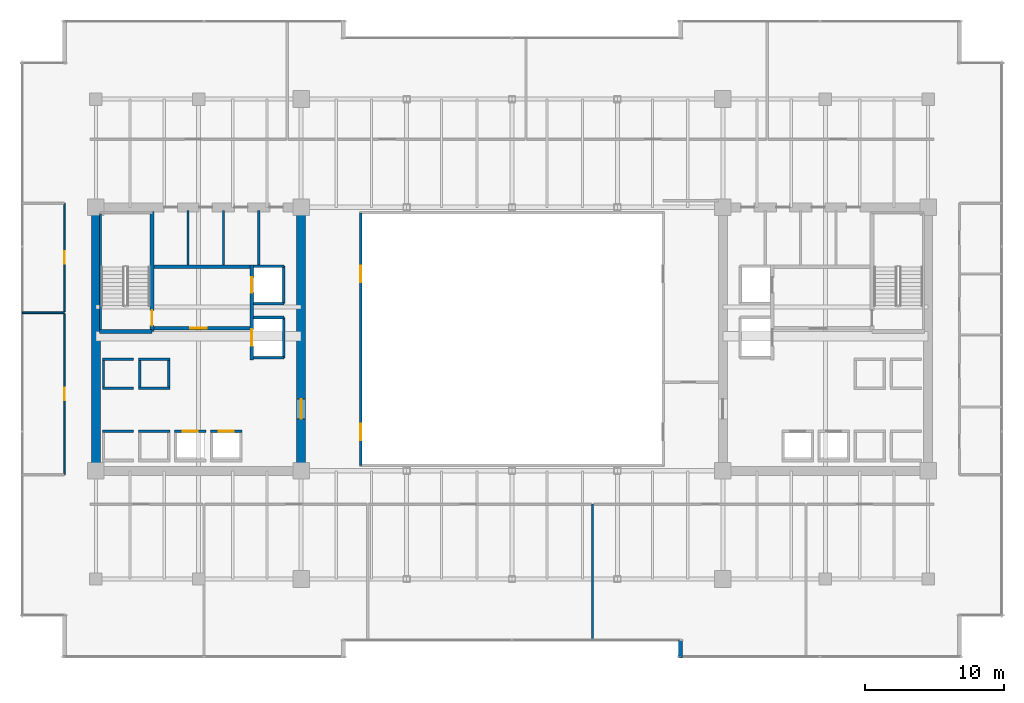
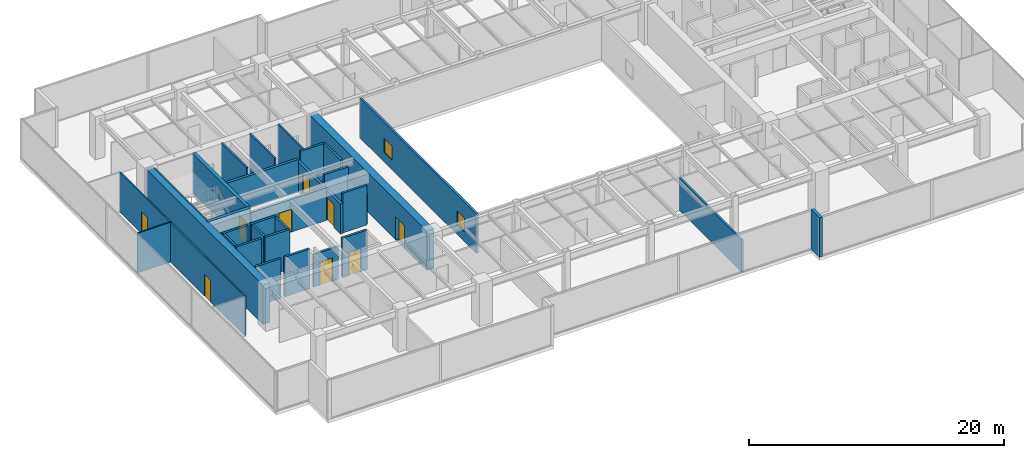
# One storey, part 25 of 30: 34 walls, 9 doors, 2 windows, 11 openings.
"""IFC4 building model written with IfcOpenShell, lengths in metres."""

from ifc_helpers import new_model, si_unit, direction, frame, frame_2d, origin, place, context, subcontext, project, spatial, rectangle, extrude, source, transform, mapped, material, layer, layer_set, type_object, type_shapes, element, fill, save


model = new_model("IFC4")

# Units and contexts
model_context = context("Model", 3, precision=1e-05, world=origin(), true_north=direction((0.0, 1.0)))
body_context = subcontext(model_context, "Body", "Model", "MODEL_VIEW")
ifc_project = project(units=[si_unit("LENGTHUNIT", "METRE"), si_unit("AREAUNIT", "SQUARE_METRE"), si_unit("VOLUMEUNIT", "CUBIC_METRE"), si_unit("PLANEANGLEUNIT", "RADIAN"), si_unit("MASSUNIT", "GRAM", prefix="KILO")], contexts=[model_context])

# Site, building, storey
site_placement = place(None, origin())
site = spatial("IfcSite", under=ifc_project, at=site_placement, CompositionType="ELEMENT")
building_placement = place(site_placement, origin())
building = spatial("IfcBuilding", under=site, at=building_placement, Name="Haelvirn Gate Laboratories", CompositionType="ELEMENT")
storey_placement = place(building_placement, frame((0.0, 0.0, 105.10009765625)))
storey = spatial("IfcBuildingStorey", under=building, at=storey_placement, Name="L25", CompositionType="ELEMENT", Elevation=105.10009765625)

# Walls
ifc_material_1 = material(Name="Thermally-broken bronze aluminium rainscreen & mineral wool", Category="aluminium")
ifc_layer_1 = layer(ifc_material_1, 0.280029296875, Name="EW-TERR-280")
ifc_layer_set_1 = layer_set([ifc_layer_1], Name="Thermally-broken bronze aluminium rainscreen & mineral wool")
wall_type_1 = type_object("IfcWallType", Name="EW-TERR-280", PredefinedType="STANDARD", material=ifc_layer_set_1)
wall_1_placement = place(storey_placement, frame((49.5400390625, 2.587890625, 0.0), z_axis=(0.0, 0.0, 1.0), x_axis=(0.0, -1.0, 0.0)))
element("IfcWall", 1, at=wall_1_placement, inside=storey, type_object=wall_type_1, Name="L25 Atrium Recess Bronze Return Wall 03", PredefinedType="STANDARD", context=body_context, shape_type="SweptSolid", body=[
    extrude(rectangle(XDim=1.287841796875, YDim=0.280029296875, at=frame_2d((0.64404296875, 0.0))), origin(), (0.0, 0.0, 1.0), 3.789794921875),
])
ifc_material_2 = material(Name="Double-layer acoustic gypsum laboratory partition", Category="gypsum")
ifc_layer_2 = layer(ifc_material_2, 0.159912109375, Name="IW-ACOUST-160")
ifc_layer_set_2 = layer_set([ifc_layer_2], Name="Double-layer acoustic gypsum laboratory partition")
wall_type_2 = type_object("IfcWallType", Name="IW-ACOUST-160", PredefinedType="PARTITIONING", material=ifc_layer_set_2)
wall_2_placement = place(storey_placement, frame((43.199951171875, 2.610107421875, 0.0), z_axis=(0.0, 0.0, 1.0), x_axis=(0.0, 1.0, 0.0)))
element("IfcWall", 2, at=wall_2_placement, inside=storey, type_object=wall_type_2, Name="L25 Interior Wall IW-L25-SDIV-03", PredefinedType="PARTITIONING", context=body_context, shape_type="SweptSolid", body=[
    extrude(rectangle(XDim=9.77978515625, YDim=0.159912109375, at=frame_2d((4.889892578125, 0.0))), origin(), (0.0, 0.0, 1.0), 3.074951171875),
])

# Wall, openings, windows
ifc_material_3 = material(Name="Tempered fire-rated borosilicate glass & anodised aluminium", Category="aluminium")
ifc_layer_3 = layer(ifc_material_3, 0.195068359375, Name="IW-GLAZ-200")
ifc_layer_set_3 = layer_set([ifc_layer_3], Name="Tempered fire-rated borosilicate glass & anodised aluminium")
wall_type_3 = type_object("IfcWallType", Name="IW-GLAZ-200", PredefinedType="SOLIDWALL", material=ifc_layer_set_3)
wall_3_placement = place(storey_placement, frame((26.5, 15.199951171875, 0.0), z_axis=(0.0, 0.0, 1.0), x_axis=(0.0, 1.0, 0.0)))
wall_3 = element("IfcWall", 3, at=wall_3_placement, inside=storey, type_object=wall_type_3, Name="L25 Interior Wall IW-L25-ATRIUM-W", PredefinedType="SOLIDWALL", context=body_context, shape_type="SweptSolid", body=[
    extrude(rectangle(XDim=18.199951171875, YDim=0.195068359375, at=frame_2d((9.10009765625, 0.0))), origin(), (0.0, 0.0, 1.0), 3.789794921875),
])
opening_1_placement = place(wall_3_placement, frame((1.800048828125, 0.0, 0.89990234375)))
opening_1 = element("IfcOpeningElement", 4, at=opening_1_placement, cuts=wall_3, Name="Opening W6", PredefinedType="OPENING", context=body_context, shape_type="SweptSolid", body=[
    extrude(rectangle(XDim=1.199951171875, YDim=1.35009765625, at=frame_2d((0.60009765625, 0.675048828125))), frame((0.0, 0.107421875, 0.0), z_axis=(0.0, -1.0, 0.0), x_axis=(1.0, 0.0, 0.0)), (0.0, 0.0, 1.0), 0.215087890625),
])
opening_2_placement = place(wall_3_placement, frame((13.199951171875, 0.0, 0.89990234375)))
opening_2 = element("IfcOpeningElement", 5, at=opening_2_placement, cuts=wall_3, Name="Opening W6", PredefinedType="OPENING", context=body_context, shape_type="SweptSolid", body=[
    extrude(rectangle(XDim=1.199951171875, YDim=1.35009765625, at=frame_2d((0.60009765625, 0.675048828125))), frame((0.0, 0.107421875, 0.0), z_axis=(0.0, -1.0, 0.0), x_axis=(1.0, 0.0, 0.0)), (0.0, 0.0, 1.0), 0.215087890625),
])
ifc_material_4 = material(Name="Fire-rated EI 120 borosilicate atrium vision glazing", Category="glass")
window_type = type_object("IfcWindowType", Name="WN-ATR-1200", PartitioningType="SINGLE_PANEL", PredefinedType="WINDOW", material=ifc_material_4)
shared_shape_1 = source(origin(), body_context, "Body", "SweptSolid", [
    extrude(rectangle(XDim=1.199951171875, YDim=1.35009765625, at=frame_2d((0.60009765625, 0.675048828125))), frame((0.0, 0.030029296875, 0.0), z_axis=(0.0, -1.0, 0.0), x_axis=(1.0, 0.0, 0.0)), (0.0, 0.0, 1.0), 0.06005859375),
])
type_shapes(window_type, [shared_shape_1])
window_1_placement = place(opening_1_placement, origin())
window_1 = element("IfcWindow", 6, at=window_1_placement, inside=storey, type_object=window_type, Name="L25 Atrium Observation Window 1", OverallHeight=1.35009765625, OverallWidth=1.199951171875, PartitioningType="SINGLE_PANEL", PredefinedType="WINDOW", context=body_context, shape_type="MappedRepresentation", body=[
    mapped(shared_shape_1, transform((0.0, 0.0, 0.0), scale=1.0)),
])
fill(opening_1, window_1)
window_2_placement = place(opening_2_placement, origin())
window_2 = element("IfcWindow", 7, at=window_2_placement, inside=storey, type_object=window_type, Name="L25 Atrium Observation Window 2", OverallHeight=1.35009765625, OverallWidth=1.199951171875, PartitioningType="SINGLE_PANEL", PredefinedType="WINDOW", context=body_context, shape_type="MappedRepresentation", body=[
    mapped(shared_shape_1, transform((0.0, 0.0, 0.0), scale=1.0)),
])
fill(opening_2, window_2)

# Wall, opening, door
ifc_material_5 = material(Name="Lightweight acoustic gypsum board partition", Category="gypsum")
ifc_layer_4 = layer(ifc_material_5, 0.1201171875, Name="IW-PART-120")
ifc_layer_set_4 = layer_set([ifc_layer_4], Name="Lightweight acoustic gypsum board partition")
wall_type_4 = type_object("IfcWallType", Name="IW-PART-120", PredefinedType="PARTITIONING", material=ifc_layer_set_4)
wall_4_placement = place(storey_placement, frame((5.1298828125, 14.514892578125, 0.0), z_axis=(0.0, 0.0, 1.0), x_axis=(0.0, 1.0, 0.0)))
wall_4 = element("IfcWall", 8, at=wall_4_placement, inside=storey, type_object=wall_type_4, Name="L25 Interior Wall IW-L25-WPASS-01", PredefinedType="PARTITIONING", context=body_context, shape_type="SweptSolid", body=[
    extrude(rectangle(XDim=11.625, YDim=0.1201171875, at=frame_2d((5.8125, 0.0))), origin(), (0.0, 0.0, 1.0), 3.789794921875),
])
opening_3_placement = place(wall_4_placement, frame((5.362548828125, 0.0, 0.0)))
opening_3 = element("IfcOpeningElement", 9, at=opening_3_placement, cuts=wall_4, Name="Opening D4", PredefinedType="OPENING", context=body_context, shape_type="SweptSolid", body=[
    extrude(rectangle(XDim=0.89990234375, YDim=2.10009765625, at=frame_2d((0.449951171875, 1.050048828125))), frame((0.0, 0.070068359375, 0.0), z_axis=(0.0, -1.0, 0.0), x_axis=(1.0, 0.0, 0.0)), (0.0, 0.0, 1.0), 0.14013671875),
])
ifc_material_6 = material(Name="Glazed aluminium-framed write-up door", Category="aluminium")
door_type_1 = type_object("IfcDoorType", Name="DR-OFF-900", OperationType="NOTDEFINED", PredefinedType="DOOR", material=ifc_material_6)
shared_shape_2 = source(origin(), body_context, "Body", "SweptSolid", [
    extrude(rectangle(XDim=0.89990234375, YDim=2.10009765625, at=frame_2d((0.449951171875, 1.050048828125))), frame((0.0, 0.02490234375, 0.0), z_axis=(0.0, -1.0, 0.0), x_axis=(1.0, 0.0, 0.0)), (0.0, 0.0, 1.0), 0.050048828125),
])
type_shapes(door_type_1, [shared_shape_2])
door_1_placement = place(opening_3_placement, origin())
door_1 = element("IfcDoor", 10, at=door_1_placement, inside=storey, type_object=door_type_1, Name="L25 Colloquium Conference Room Door W1", OperationType="SINGLE_SWING_LEFT", OverallHeight=2.10009765625, OverallWidth=0.89990234375, PredefinedType="DOOR", context=body_context, shape_type="MappedRepresentation", body=[
    mapped(shared_shape_2, transform((0.0, 0.0, 0.0), scale=1.0)),
])
fill(opening_3, door_1)

# Wall
wall_5_placement = place(storey_placement, frame((2.110107421875, 26.199951171875, 0.0), z_axis=(0.0, 0.0, 1.0), x_axis=(1.0, 0.0, 0.0)))
element("IfcWall", 11, at=wall_5_placement, inside=storey, type_object=wall_type_4, Name="L25 Interior Wall IW-L25-WDIV-01", PredefinedType="PARTITIONING", context=body_context, shape_type="SweptSolid", body=[
    extrude(rectangle(XDim=3.019775390625, YDim=0.1201171875, at=frame_2d((1.509765625, 0.0))), origin(), (0.0, 0.0, 1.0), 3.789794921875),
])

# Wall, opening, door
wall_6_placement = place(storey_placement, frame((5.1298828125, 26.260009765625, 0.0), z_axis=(0.0, 0.0, 1.0), x_axis=(0.0, 1.0, 0.0)))
wall_6 = element("IfcWall", 12, at=wall_6_placement, inside=storey, type_object=wall_type_4, Name="L25 Interior Wall IW-L25-WPASS-02", PredefinedType="PARTITIONING", context=body_context, shape_type="SweptSolid", body=[
    extrude(rectangle(XDim=7.824951171875, YDim=0.1201171875, at=frame_2d((3.91259765625, 0.0))), origin(), (0.0, 0.0, 1.0), 3.789794921875),
])
opening_4_placement = place(wall_6_placement, frame((3.46240234375, 0.0, 0.0)))
opening_4 = element("IfcOpeningElement", 13, at=opening_4_placement, cuts=wall_6, Name="Opening D4", PredefinedType="OPENING", context=body_context, shape_type="SweptSolid", body=[
    extrude(rectangle(XDim=0.89990234375, YDim=2.10009765625, at=frame_2d((0.449951171875, 1.050048828125))), frame((0.0, 0.070068359375, 0.0), z_axis=(0.0, -1.0, 0.0), x_axis=(1.0, 0.0, 0.0)), (0.0, 0.0, 1.0), 0.14013671875),
])
door_2_placement = place(opening_4_placement, origin())
door_2 = element("IfcDoor", 14, at=door_2_placement, inside=storey, type_object=door_type_1, Name="L25 Researcher Break Pantry Door W2", OperationType="SINGLE_SWING_RIGHT", OverallHeight=2.10009765625, OverallWidth=0.89990234375, PredefinedType="DOOR", context=body_context, shape_type="MappedRepresentation", body=[
    mapped(shared_shape_2, transform((0.0, 0.0, 0.0), scale=1.0)),
])
fill(opening_4, door_2)

# Walls
ifc_material_7 = material(Name="Cement-board restroom plumbing chase wall", Category="gypsum")
ifc_layer_5 = layer(ifc_material_7, 0.155029296875, Name="IW-PLUMB-160")
ifc_layer_set_5 = layer_set([ifc_layer_5], Name="Cement-board restroom plumbing chase wall")
wall_type_5 = type_object("IfcWallType", Name="IW-PLUMB-160", PredefinedType="PLUMBINGWALL", material=ifc_layer_set_5)
for number, where, z_axis, x_axis, name in (
    (15, (14.0400390625, 29.64990234375, 0.0), (0.0, 0.0, 1.0), (0.0, 1.0, 0.0), "L25 Interior Wall IW-L25-W-CDIV-1"),
    (16, (16.590087890625, 29.64990234375, 0.0), (0.0, 0.0, 1.0), (0.0, 1.0, 0.0), "L25 Interior Wall IW-L25-W-CDIV-2"),
    (17, (19.139892578125, 29.64990234375, 0.0), (0.0, 0.0, 1.0), (0.0, 1.0, 0.0), "L25 Interior Wall IW-L25-W-CDIV-3"),
):
    element("IfcWall", number, at=place(storey_placement, frame(where, z_axis=z_axis, x_axis=x_axis)), inside=storey, type_object=wall_type_5, Name=name, PredefinedType="PLUMBINGWALL", context=body_context, shape_type="SweptSolid", body=[
        extrude(rectangle(XDim=3.93017578125, YDim=0.155029296875, at=frame_2d((1.965087890625, 0.0))), origin(), (0.0, 0.0, 1.0), 3.789794921875),
    ])
ifc_material_8 = material(Name="Concrete C40/50", Category="concrete")
ifc_layer_6 = layer(ifc_material_8, 0.179931640625, Name="IW-SHAFT-180")
ifc_layer_set_6 = layer_set([ifc_layer_6], Name="Concrete C40/50")
wall_type_6 = type_object("IfcWallType", Name="IW-SHAFT-180", PredefinedType="SOLIDWALL", material=ifc_layer_set_6)
for number, where, z_axis, x_axis, name in (
    (18, (7.949951171875, 20.85009765625, 0.0), (0.0, 0.0, 1.0), (0.0, 1.0, 0.0), "L25 Interior Wall IW-L25-PL9-SD"),
    (19, (10.550048828125, 20.85009765625, 0.0), (0.0, 0.0, 1.0), (0.0, 1.0, 0.0), "L25 Interior Wall IW-L25-PL10-SD"),
    (20, (12.64990234375, 20.85009765625, 0.0), (0.0, 0.0, 1.0), (0.0, 1.0, 0.0), "L25 Interior Wall IW-L25-PL10-SDE"),
):
    element("IfcWall", number, at=place(storey_placement, frame(where, z_axis=z_axis, x_axis=x_axis)), inside=storey, type_object=wall_type_6, Name=name, PredefinedType="SOLIDWALL", context=body_context, shape_type="SweptSolid", body=[
        extrude(rectangle(XDim=1.89990234375, YDim=0.179931640625, at=frame_2d((0.949951171875, 0.0))), origin(), (0.0, 0.0, 1.0), 3.789794921875),
    ])
ifc_layer_7 = layer(ifc_material_8, 0.199951171875, Name="IW-SHAFT-200")
ifc_layer_set_7 = layer_set([ifc_layer_7], Name="Concrete C40/50")
wall_type_7 = type_object("IfcWallType", Name="IW-SHAFT-200", PredefinedType="SOLIDWALL", material=ifc_layer_set_7)
wall_7_placement = place(storey_placement, frame((7.8701171875, 17.64990234375, 0.0), z_axis=(0.0, 0.0, 1.0), x_axis=(1.0, 0.0, 0.0)))
element("IfcWall", 21, at=wall_7_placement, inside=storey, type_object=wall_type_7, Name="L25 Interior Wall IW-L25-PL1-FR", PredefinedType="SOLIDWALL", context=body_context, shape_type="SweptSolid", body=[
    extrude(rectangle(XDim=2.259765625, YDim=0.199951171875, at=frame_2d((1.1298828125, 0.0))), origin(), (0.0, 0.0, 1.0), 3.789794921875),
])
wall_8_placement = place(storey_placement, frame((10.469970703125, 17.64990234375, 0.0), z_axis=(0.0, 0.0, 1.0), x_axis=(1.0, 0.0, 0.0)))
element("IfcWall", 22, at=wall_8_placement, inside=storey, type_object=wall_type_7, Name="L25 Interior Wall IW-L25-PL2-FR", PredefinedType="SOLIDWALL", context=body_context, shape_type="SweptSolid", body=[
    extrude(rectangle(XDim=2.260009765625, YDim=0.199951171875, at=frame_2d((1.1298828125, 0.0))), origin(), (0.0, 0.0, 1.0), 3.789794921875),
])

# Wall, opening, door
wall_9_placement = place(storey_placement, frame((13.070068359375, 17.64990234375, 0.0), z_axis=(0.0, 0.0, 1.0), x_axis=(1.0, 0.0, 0.0)))
wall_9 = element("IfcWall", 23, at=wall_9_placement, inside=storey, type_object=wall_type_7, Name="L25 Interior Wall IW-L25-PL5-FR", PredefinedType="SOLIDWALL", context=body_context, shape_type="SweptSolid", body=[
    extrude(rectangle(XDim=2.260009765625, YDim=0.199951171875, at=frame_2d((1.1298828125, 0.0))), origin(), (0.0, 0.0, 1.0), 3.125),
])
opening_5_placement = place(wall_9_placement, frame((0.580078125, 0.0, 0.0)))
opening_5 = element("IfcOpeningElement", 24, at=opening_5_placement, cuts=wall_9, Name="Opening LD2", PredefinedType="OPENING", context=body_context, shape_type="SweptSolid", body=[
    extrude(rectangle(XDim=1.10009765625, YDim=2.219970703125, at=frame_2d((0.550048828125, 1.10986328125))), frame((0.0, 0.10986328125, 0.0), z_axis=(0.0, -1.0, 0.0), x_axis=(1.0, 0.0, 0.0)), (0.0, 0.0, 1.0), 0.219970703125),
])
ifc_material_9 = material(Name="Bronze stainless 316L sliding lift landing door")
door_type_2 = type_object("IfcDoorType", Name="DR-LD-1100", OperationType="NOTDEFINED", PredefinedType="USERDEFINED", material=ifc_material_9)
shared_shape_3 = source(origin(), body_context, "Body", "SweptSolid", [
    extrude(rectangle(XDim=1.10009765625, YDim=2.219970703125, at=frame_2d((0.550048828125, 1.10986328125))), frame((0.0, 0.02490234375, 0.0), z_axis=(0.0, -1.0, 0.0), x_axis=(1.0, 0.0, 0.0)), (0.0, 0.0, 1.0), 0.050048828125),
])
type_shapes(door_type_2, [shared_shape_3])
door_3_placement = place(opening_5_placement, origin())
door_3 = element("IfcDoor", 25, at=door_3_placement, inside=storey, type_object=door_type_2, Name="L25 Passenger Lift PL5 Landing Door", ObjectType="LANDING_DOOR", OperationType="SLIDING_TO_LEFT", OverallHeight=2.219970703125, OverallWidth=1.10009765625, PredefinedType="USERDEFINED", context=body_context, shape_type="MappedRepresentation", body=[
    mapped(shared_shape_3, transform((0.0, 0.0, 0.0), scale=1.0)),
])
fill(opening_5, door_3)

wall_10_placement = place(storey_placement, frame((15.669921875, 17.64990234375, 0.0), z_axis=(0.0, 0.0, 1.0), x_axis=(1.0, 0.0, 0.0)))
wall_10 = element("IfcWall", 26, at=wall_10_placement, inside=storey, type_object=wall_type_7, Name="L25 Interior Wall IW-L25-PL6-FR", PredefinedType="SOLIDWALL", context=body_context, shape_type="SweptSolid", body=[
    extrude(rectangle(XDim=2.260009765625, YDim=0.199951171875, at=frame_2d((1.1298828125, 0.0))), origin(), (0.0, 0.0, 1.0), 3.789794921875),
])
opening_6_placement = place(wall_10_placement, frame((0.580078125, 0.0, 0.0)))
opening_6 = element("IfcOpeningElement", 27, at=opening_6_placement, cuts=wall_10, Name="Opening LD2", PredefinedType="OPENING", context=body_context, shape_type="SweptSolid", body=[
    extrude(rectangle(XDim=1.10009765625, YDim=2.219970703125, at=frame_2d((0.550048828125, 1.10986328125))), frame((0.0, 0.10986328125, 0.0), z_axis=(0.0, -1.0, 0.0), x_axis=(1.0, 0.0, 0.0)), (0.0, 0.0, 1.0), 0.219970703125),
])
door_4_placement = place(opening_6_placement, origin())
door_4 = element("IfcDoor", 28, at=door_4_placement, inside=storey, type_object=door_type_2, Name="L25 Passenger Lift PL6 Landing Door", ObjectType="LANDING_DOOR", OperationType="SLIDING_TO_RIGHT", OverallHeight=2.219970703125, OverallWidth=1.10009765625, PredefinedType="USERDEFINED", context=body_context, shape_type="MappedRepresentation", body=[
    mapped(shared_shape_3, transform((0.0, 0.0, 0.0), scale=1.0)),
])
fill(opening_6, door_4)

# Walls
for number, where, z_axis, x_axis, name in (
    (29, (7.8701171875, 20.75, 0.0), (0.0, 0.0, 1.0), (1.0, 0.0, 0.0), "L25 Interior Wall IW-L25-PL9-FR"),
    (30, (7.8701171875, 22.85009765625, 0.0), (0.0, 0.0, 1.0), (1.0, 0.0, 0.0), "L25 Interior Wall IW-L25-PL9-BK"),
):
    element("IfcWall", number, at=place(storey_placement, frame(where, z_axis=z_axis, x_axis=x_axis)), inside=storey, type_object=wall_type_7, Name=name, PredefinedType="SOLIDWALL", context=body_context, shape_type="SweptSolid", body=[
        extrude(rectangle(XDim=2.259765625, YDim=0.199951171875, at=frame_2d((1.1298828125, 0.0))), origin(), (0.0, 0.0, 1.0), 3.789794921875),
    ])
for number, where, z_axis, x_axis, name in (
    (31, (10.469970703125, 20.75, 0.0), (0.0, 0.0, 1.0), (1.0, 0.0, 0.0), "L25 Interior Wall IW-L25-PL10-FR"),
    (32, (10.469970703125, 22.85009765625, 0.0), (0.0, 0.0, 1.0), (1.0, 0.0, 0.0), "L25 Interior Wall IW-L25-PL10-BK"),
):
    element("IfcWall", number, at=place(storey_placement, frame(where, z_axis=z_axis, x_axis=x_axis)), inside=storey, type_object=wall_type_7, Name=name, PredefinedType="SOLIDWALL", context=body_context, shape_type="SweptSolid", body=[
        extrude(rectangle(XDim=2.260009765625, YDim=0.199951171875, at=frame_2d((1.1298828125, 0.0))), origin(), (0.0, 0.0, 1.0), 3.789794921875),
    ])
wall_11_placement = place(storey_placement, frame((20.949951171875, 26.85009765625, 0.0), z_axis=(0.0, 0.0, 1.0), x_axis=(0.0, 1.0, 0.0)))
element("IfcWall", 33, at=wall_11_placement, inside=storey, type_object=wall_type_7, Name="L25 Interior Wall IW-L25-FL1-BK", PredefinedType="SOLIDWALL", context=body_context, shape_type="SweptSolid", body=[
    extrude(rectangle(XDim=2.699951171875, YDim=0.199951171875, at=frame_2d((1.35009765625, 0.0))), origin(), (0.0, 0.0, 1.0), 3.789794921875),
])
wall_12_placement = place(storey_placement, frame((18.760009765625, 29.550048828125, 0.0), z_axis=(0.0, 0.0, 1.0), x_axis=(1.0, 0.0, 0.0)))
element("IfcWall", 34, at=wall_12_placement, inside=storey, type_object=wall_type_7, Name="L25 Interior Wall IW-L25-FL1-N", PredefinedType="SOLIDWALL", context=body_context, shape_type="SweptSolid", body=[
    extrude(rectangle(XDim=2.18994140625, YDim=0.199951171875, at=frame_2d((1.094970703125, 0.0))), origin(), (0.0, 0.0, 1.0), 3.789794921875),
])
wall_13_placement = place(storey_placement, frame((18.760009765625, 26.85009765625, 0.0), z_axis=(0.0, 0.0, 1.0), x_axis=(1.0, 0.0, 0.0)))
element("IfcWall", 35, at=wall_13_placement, inside=storey, type_object=wall_type_7, Name="L25 Interior Wall IW-L25-FL1-S", PredefinedType="SOLIDWALL", context=body_context, shape_type="SweptSolid", body=[
    extrude(rectangle(XDim=2.18994140625, YDim=0.199951171875, at=frame_2d((1.094970703125, 0.0))), origin(), (0.0, 0.0, 1.0), 3.18701171875),
])
wall_14_placement = place(storey_placement, frame((20.949951171875, 22.949951171875, 0.0), z_axis=(0.0, 0.0, 1.0), x_axis=(0.0, 1.0, 0.0)))
element("IfcWall", 36, at=wall_14_placement, inside=storey, type_object=wall_type_7, Name="L25 Interior Wall IW-L25-SL1-BK", PredefinedType="SOLIDWALL", context=body_context, shape_type="SweptSolid", body=[
    extrude(rectangle(XDim=2.900146484375, YDim=0.199951171875, at=frame_2d((1.4501953125, 0.0))), origin(), (0.0, 0.0, 1.0), 2.875),
])
for number, where, z_axis, x_axis, name in (
    (37, (18.760009765625, 25.85009765625, 0.0), (0.0, 0.0, 1.0), (1.0, 0.0, 0.0), "L25 Interior Wall IW-L25-SL1-N"),
    (38, (18.760009765625, 22.949951171875, 0.0), (0.0, 0.0, 1.0), (1.0, 0.0, 0.0), "L25 Interior Wall IW-L25-SL1-S"),
):
    element("IfcWall", number, at=place(storey_placement, frame(where, z_axis=z_axis, x_axis=x_axis)), inside=storey, type_object=wall_type_7, Name=name, PredefinedType="SOLIDWALL", context=body_context, shape_type="SweptSolid", body=[
        extrude(rectangle(XDim=2.18994140625, YDim=0.199951171875, at=frame_2d((1.094970703125, 0.0))), origin(), (0.0, 0.0, 1.0), 3.789794921875),
    ])

# Wall, opening, door
ifc_layer_8 = layer(ifc_material_8, 0.239990234375, Name="IW-SHAFT-240")
ifc_layer_set_8 = layer_set([ifc_layer_8], Name="Concrete C40/50")
wall_type_8 = type_object("IfcWallType", Name="IW-SHAFT-240", PredefinedType="SOLIDWALL", material=ifc_layer_set_8)
wall_15_placement = place(storey_placement, frame((11.60009765625, 25.080078125, 0.0), z_axis=(0.0, 0.0, 1.0), x_axis=(1.0, 0.0, 0.0)))
wall_15 = element("IfcWall", 39, at=wall_15_placement, inside=storey, type_object=wall_type_8, Name="L25 Interior Wall IW-L25-W-FF-S", PredefinedType="SOLIDWALL", context=body_context, shape_type="SweptSolid", body=[
    extrude(rectangle(XDim=6.919921875, YDim=0.239990234375, at=frame_2d((3.4599609375, 0.0))), origin(), (0.0, 0.0, 1.0), 3.125),
])
opening_7_placement = place(wall_15_placement, frame((2.60009765625, 0.0, 0.0)))
opening_7 = element("IfcOpeningElement", 40, at=opening_7_placement, cuts=wall_15, Name="Opening FD2", PredefinedType="OPENING", context=body_context, shape_type="SweptSolid", body=[
    extrude(rectangle(XDim=1.199951171875, YDim=2.159912109375, at=frame_2d((0.60009765625, 1.080078125))), frame((0.0, 0.1298828125, 0.0), z_axis=(0.0, -1.0, 0.0), x_axis=(1.0, 0.0, 0.0)), (0.0, 0.0, 1.0), 0.260009765625),
])
ifc_material_10 = material(Name="Fire-rated steel SM355 compartment door", Category="steel")
door_type_3 = type_object("IfcDoorType", Name="DR-FD-1200", OperationType="NOTDEFINED", PredefinedType="DOOR", material=ifc_material_10)
shared_shape_4 = source(origin(), body_context, "Body", "SweptSolid", [
    extrude(rectangle(XDim=1.199951171875, YDim=2.159912109375, at=frame_2d((0.60009765625, 1.080078125))), frame((0.0, 0.02490234375, 0.0), z_axis=(0.0, -1.0, 0.0), x_axis=(1.0, 0.0, 0.0)), (0.0, 0.0, 1.0), 0.050048828125),
])
type_shapes(door_type_3, [shared_shape_4])
door_5_placement = place(opening_7_placement, origin())
door_5 = element("IfcDoor", 41, at=door_5_placement, inside=storey, type_object=door_type_3, Name="L25 West Firefighting Lobby Door", OperationType="SINGLE_SWING_RIGHT", OverallHeight=2.159912109375, OverallWidth=1.199951171875, PredefinedType="DOOR", context=body_context, shape_type="MappedRepresentation", body=[
    mapped(shared_shape_4, transform((0.0, 0.0, 0.0), scale=1.0)),
])
fill(opening_7, door_5)

# Wall
wall_16_placement = place(storey_placement, frame((11.60009765625, 29.52001953125, 0.0), z_axis=(0.0, 0.0, 1.0), x_axis=(1.0, 0.0, 0.0)))
element("IfcWall", 42, at=wall_16_placement, inside=storey, type_object=wall_type_8, Name="L25 Interior Wall IW-L25-W-FF-N", PredefinedType="SOLIDWALL", context=body_context, shape_type="SweptSolid", body=[
    extrude(rectangle(XDim=6.919921875, YDim=0.239990234375, at=frame_2d((3.4599609375, 0.0))), origin(), (0.0, 0.0, 1.0), 3.125),
])

# Wall, openings, doors
wall_17_placement = place(storey_placement, frame((18.639892578125, 22.800048828125, 0.0), z_axis=(0.0, 0.0, 1.0), x_axis=(0.0, 1.0, 0.0)))
wall_17 = element("IfcWall", 43, at=wall_17_placement, inside=storey, type_object=wall_type_8, Name="L25 Interior Wall IW-L25-W-FF-E", PredefinedType="SOLIDWALL", context=body_context, shape_type="SweptSolid", body=[
    extrude(rectangle(XDim=6.849853515625, YDim=0.239990234375, at=frame_2d((3.4248046875, 0.0))), origin(), (0.0, 0.0, 1.0), 2.875),
])
opening_8_placement = place(wall_17_placement, frame((4.85009765625, 0.0, 0.0)))
opening_8 = element("IfcOpeningElement", 44, at=opening_8_placement, cuts=wall_17, Name="Opening LD2", PredefinedType="OPENING", context=body_context, shape_type="SweptSolid", body=[
    extrude(rectangle(XDim=1.10009765625, YDim=2.219970703125, at=frame_2d((0.550048828125, 1.10986328125))), frame((0.0, 0.1298828125, 0.0), z_axis=(0.0, -1.0, 0.0), x_axis=(1.0, 0.0, 0.0)), (0.0, 0.0, 1.0), 0.260009765625),
])
opening_9_placement = place(wall_17_placement, frame((1.0, 0.0, 0.0)))
opening_9 = element("IfcOpeningElement", 45, at=opening_9_placement, cuts=wall_17, Name="Opening LD1", PredefinedType="OPENING", context=body_context, shape_type="SweptSolid", body=[
    extrude(rectangle(XDim=1.199951171875, YDim=2.219970703125, at=frame_2d((0.60009765625, 1.10986328125))), frame((0.0, 0.1298828125, 0.0), z_axis=(0.0, -1.0, 0.0), x_axis=(1.0, 0.0, 0.0)), (0.0, 0.0, 1.0), 0.260009765625),
])
door_6_placement = place(opening_8_placement, origin())
door_6 = element("IfcDoor", 46, at=door_6_placement, inside=storey, type_object=door_type_2, Name="L25 Firefighting Lift FL1 Landing Door", ObjectType="LANDING_DOOR", OperationType="SLIDING_TO_LEFT", OverallHeight=2.219970703125, OverallWidth=1.10009765625, PredefinedType="USERDEFINED", context=body_context, shape_type="MappedRepresentation", body=[
    mapped(shared_shape_3, transform((0.0, 0.0, 0.0), scale=1.0)),
])
fill(opening_8, door_6)
ifc_material_11 = material(Name="Stainless steel 316L sliding goods landing door", Category="steel")
door_type_4 = type_object("IfcDoorType", Name="DR-LD-1200", OperationType="NOTDEFINED", PredefinedType="USERDEFINED", material=ifc_material_11)
shared_shape_5 = source(origin(), body_context, "Body", "SweptSolid", [
    extrude(rectangle(XDim=1.199951171875, YDim=2.219970703125, at=frame_2d((0.60009765625, 1.10986328125))), frame((0.0, 0.02490234375, 0.0), z_axis=(0.0, -1.0, 0.0), x_axis=(1.0, 0.0, 0.0)), (0.0, 0.0, 1.0), 0.050048828125),
])
type_shapes(door_type_4, [shared_shape_5])
door_7_placement = place(opening_9_placement, origin())
door_7 = element("IfcDoor", 47, at=door_7_placement, inside=storey, type_object=door_type_4, Name="L25 Service Lift SL1 Landing Door", ObjectType="LANDING_DOOR", OperationType="SLIDING_TO_RIGHT", OverallHeight=2.219970703125, OverallWidth=1.199951171875, PredefinedType="USERDEFINED", context=body_context, shape_type="MappedRepresentation", body=[
    mapped(shared_shape_5, transform((0.0, 0.0, 0.0), scale=1.0)),
])
fill(opening_9, door_7)

# Wall
ifc_material_12 = material(Name="Concrete C60/75", Category="concrete")
ifc_layer_9 = layer(ifc_material_12, 0.64990234375, Name="SW-CORE-650")
ifc_layer_set_9 = layer_set([ifc_layer_9], Name="Concrete C60/75")
wall_type_9 = type_object("IfcWallType", Name="SW-CORE-650", PredefinedType="SHEAR", material=ifc_layer_set_9)
wall_18_placement = place(storey_placement, frame((7.39990234375, 15.125, 0.0), z_axis=(0.0, 0.0, 1.0), x_axis=(0.0, 1.0, 0.0)))
element("IfcWall", 48, at=wall_18_placement, inside=storey, type_object=wall_type_9, Name="L25 W Core Shear Wall W", PredefinedType="SHEAR", context=body_context, shape_type="SweptSolid", body=[
    extrude(rectangle(XDim=18.35009765625, YDim=0.64990234375, at=frame_2d((9.175048828125, 0.0))), origin(), (0.0, 0.0, 1.0), 3.789794921875),
])

# Wall, opening, door
wall_19_placement = place(storey_placement, frame((22.199951171875, 15.125, 0.0), z_axis=(0.0, 0.0, 1.0), x_axis=(0.0, 1.0, 0.0)))
wall_19 = element("IfcWall", 49, at=wall_19_placement, inside=storey, type_object=wall_type_9, Name="L25 W Core Shear Wall E", PredefinedType="SHEAR", context=body_context, shape_type="SweptSolid", body=[
    extrude(rectangle(XDim=18.35009765625, YDim=0.64990234375, at=frame_2d((9.175048828125, 0.0))), origin(), (0.0, 0.0, 1.0), 3.789794921875),
])
opening_10_placement = place(wall_19_placement, frame((3.425048828125, 0.0, 0.0)))
opening_10 = element("IfcOpeningElement", 50, at=opening_10_placement, cuts=wall_19, Name="Opening FD1", PredefinedType="OPENING", context=body_context, shape_type="SweptSolid", body=[
    extrude(rectangle(XDim=1.419921875, YDim=2.199951171875, at=frame_2d((0.7099609375, 1.10009765625))), frame((0.0, 0.3349609375, 0.0), z_axis=(0.0, -1.0, 0.0), x_axis=(1.0, 0.0, 0.0)), (0.0, 0.0, 1.0), 0.669921875),
])
ifc_material_13 = material(Name="Fire-rated double steel SM355 lobby door", Category="steel")
door_type_5 = type_object("IfcDoorType", Name="DR-FD-1400", OperationType="NOTDEFINED", PredefinedType="DOOR", material=ifc_material_13)
shared_shape_6 = source(origin(), body_context, "Body", "SweptSolid", [
    extrude(rectangle(XDim=1.419921875, YDim=2.199951171875, at=frame_2d((0.7099609375, 1.10009765625))), frame((0.0, 0.02490234375, 0.0), z_axis=(0.0, -1.0, 0.0), x_axis=(1.0, 0.0, 0.0)), (0.0, 0.0, 1.0), 0.050048828125),
])
type_shapes(door_type_5, [shared_shape_6])
door_8_placement = place(opening_10_placement, origin())
door_8 = element("IfcDoor", 51, at=door_8_placement, inside=storey, type_object=door_type_5, Name="L25 West Core Lift Lobby Fire Door", OperationType="DOUBLE_DOOR_SINGLE_SWING", OverallHeight=2.199951171875, OverallWidth=1.419921875, PredefinedType="DOOR", context=body_context, shape_type="MappedRepresentation", body=[
    mapped(shared_shape_6, transform((0.0, 0.0, 0.0), scale=1.0)),
])
fill(opening_10, door_8)

# Wall
ifc_material_14 = material(Name="Concrete C50/60", Category="concrete")
ifc_layer_10 = layer(ifc_material_14, 0.1201171875, Name="SW-LINER-120")
ifc_layer_set_10 = layer_set([ifc_layer_10], Name="Concrete C50/60")
wall_type_10 = type_object("IfcWallType", Name="SW-LINER-120", PredefinedType="SOLIDWALL", material=ifc_layer_set_10)
wall_20_placement = place(storey_placement, frame((7.72998046875, 25.0, 0.0), z_axis=(0.0, 0.0, 1.0), x_axis=(0.0, 1.0, 0.0)))
element("IfcWall", 52, at=wall_20_placement, inside=storey, type_object=wall_type_10, Name="L25 W Core Stair Shaft Liner Wall OUT", PredefinedType="SOLIDWALL", context=body_context, shape_type="SweptSolid", body=[
    extrude(rectangle(XDim=8.320068359375, YDim=0.1201171875, at=frame_2d((4.16015625, 0.0))), origin(), (0.0, 0.0, 1.0), 3.789794921875),
])

# Wall, opening, door
ifc_layer_11 = layer(ifc_material_14, 0.300048828125, Name="SW-STAIR-300")
ifc_layer_set_11 = layer_set([ifc_layer_11], Name="Concrete C50/60")
wall_type_11 = type_object("IfcWallType", Name="SW-STAIR-300", PredefinedType="SHEAR", material=ifc_layer_set_11)
wall_21_placement = place(storey_placement, frame((11.449951171875, 24.85009765625, 0.0), z_axis=(0.0, 0.0, 1.0), x_axis=(0.0, 1.0, 0.0)))
wall_21 = element("IfcWall", 53, at=wall_21_placement, inside=storey, type_object=wall_type_11, Name="L25 W Core Stair Shaft Structural Wall IN", PredefinedType="SHEAR", context=body_context, shape_type="SweptSolid", body=[
    extrude(rectangle(XDim=8.6298828125, YDim=0.300048828125, at=frame_2d((4.31494140625, 0.0))), origin(), (0.0, 0.0, 1.0), 3.789794921875),
])
opening_11_placement = place(wall_21_placement, frame((0.419921875, 0.0, 0.0)))
opening_11 = element("IfcOpeningElement", 54, at=opening_11_placement, cuts=wall_21, Name="Opening FD3", PredefinedType="OPENING", context=body_context, shape_type="SweptSolid", body=[
    extrude(rectangle(XDim=1.10009765625, YDim=2.14990234375, at=frame_2d((0.550048828125, 1.074951171875))), frame((0.0, 0.16015625, 0.0), z_axis=(0.0, -1.0, 0.0), x_axis=(1.0, 0.0, 0.0)), (0.0, 0.0, 1.0), 0.320068359375),
])
ifc_material_15 = material(Name="Fire-rated steel SM355 escape stair door", Category="steel")
door_type_6 = type_object("IfcDoorType", Name="DR-FD-1100", OperationType="NOTDEFINED", PredefinedType="DOOR", material=ifc_material_15)
shared_shape_7 = source(origin(), body_context, "Body", "SweptSolid", [
    extrude(rectangle(XDim=1.10009765625, YDim=2.14990234375, at=frame_2d((0.550048828125, 1.074951171875))), frame((0.0, 0.02490234375, 0.0), z_axis=(0.0, -1.0, 0.0), x_axis=(1.0, 0.0, 0.0)), (0.0, 0.0, 1.0), 0.050048828125),
])
type_shapes(door_type_6, [shared_shape_7])
door_9_placement = place(opening_11_placement, origin())
door_9 = element("IfcDoor", 55, at=door_9_placement, inside=storey, type_object=door_type_6, Name="L25 Escape Stair ST1 Fire Door", OperationType="SINGLE_SWING_LEFT", OverallHeight=2.14990234375, OverallWidth=1.10009765625, PredefinedType="DOOR", context=body_context, shape_type="MappedRepresentation", body=[
    mapped(shared_shape_7, transform((0.0, 0.0, 0.0), scale=1.0)),
])
fill(opening_11, door_9)

# Wall
wall_22_placement = place(storey_placement, frame((7.64990234375, 24.85009765625, 0.0), z_axis=(0.0, 0.0, 1.0), x_axis=(1.0, 0.0, 0.0)))
element("IfcWall", 56, at=wall_22_placement, inside=storey, type_object=wall_type_11, Name="L25 W Core Stair Shaft Structural Wall S", PredefinedType="SHEAR", context=body_context, shape_type="SweptSolid", body=[
    extrude(rectangle(XDim=3.800048828125, YDim=0.300048828125, at=frame_2d((1.89990234375, 0.0))), origin(), (0.0, 0.0, 1.0), 3.789794921875),
])

save(model, "model.ifc")
